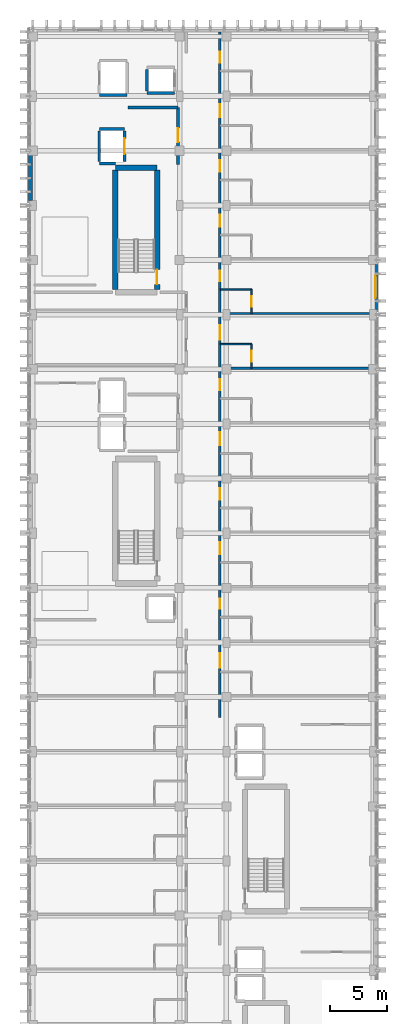
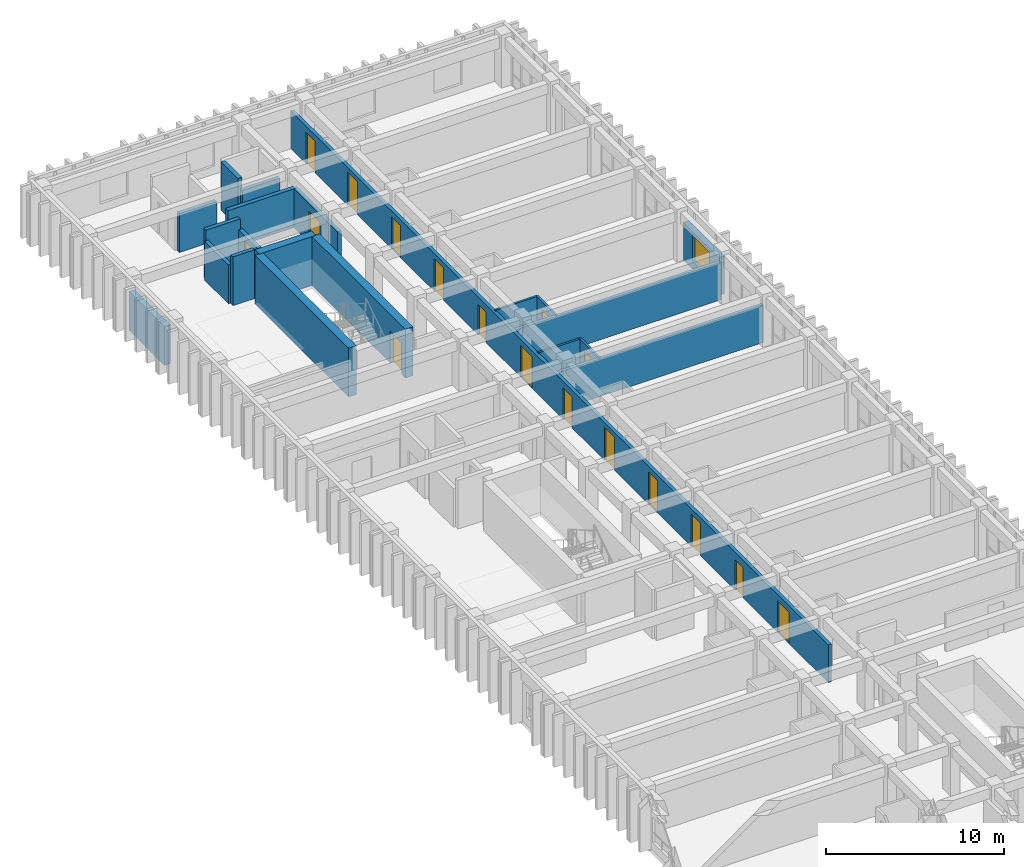
# One storey, part 67 of 82: 21 walls, 17 doors, 1 window, 18 openings.
"""IFC4 building model written with IfcOpenShell, lengths in metres."""

from ifc_helpers import new_model, si_unit, direction, frame, frame_2d, origin, place, context, subcontext, project, spatial, rectangle, extrude, material, layer, layer_set, type_object, element, fill, save


model = new_model("IFC4")

# Units and contexts
model_context = context("Model", 3, precision=1e-05, world=origin(), true_north=direction((0.0, 1.0)))
body_context = subcontext(model_context, "Body", "Model", "MODEL_VIEW")
ifc_project = project(units=[si_unit("LENGTHUNIT", "METRE"), si_unit("AREAUNIT", "SQUARE_METRE"), si_unit("VOLUMEUNIT", "CUBIC_METRE"), si_unit("PLANEANGLEUNIT", "RADIAN"), si_unit("MASSUNIT", "GRAM", prefix="KILO")], contexts=[model_context])

# Site, building, storey
site_placement = place(None, origin())
site = spatial("IfcSite", under=ifc_project, at=site_placement, CompositionType="ELEMENT")
building_placement = place(site_placement, origin())
building = spatial("IfcBuilding", under=site, at=building_placement, Name="Nakhvara Creek Congress Hotel", CompositionType="ELEMENT")
storey_placement = place(building_placement, frame((0.0, 0.0, 21.0)))
storey = spatial("IfcBuildingStorey", under=building, at=storey_placement, Name="L04", CompositionType="ELEMENT", Elevation=21.0)

# Walls
ifc_material_1 = material(Name="Concrete C50/60", Category="concrete")
ifc_layer_1 = layer(ifc_material_1, 0.5)
ifc_layer_set_1 = layer_set([ifc_layer_1], Name="Concrete C50/60")
wall_type_1 = type_object("IfcWallType", Name="W-CORE-500", PredefinedType="SHEAR", material=ifc_layer_set_1)
wall_1_placement = place(storey_placement, frame((156.699951171875, 113.719970703125, 0.0), z_axis=(0.0, 0.0, 1.0), x_axis=(1.0, 0.0, 0.0)))
element("IfcWall", 1, at=wall_1_placement, inside=storey, type_object=wall_type_1, Name="Core Shear Wall WS01-CWALL-L04-0377", PredefinedType="SHEAR", context=body_context, shape_type="SweptSolid", body=[
    extrude(rectangle(XDim=3.670166015625, YDim=0.5, at=frame_2d((1.8349609375, 0.0))), origin(), (0.0, 0.0, 1.0), 3.340087890625),
])
wall_2_placement = place(storey_placement, frame((156.699951171875, 103.0, 0.0), z_axis=(0.0, 0.0, 1.0), x_axis=(0.0, 1.0, 0.0)))
element("IfcWall", 2, at=wall_2_placement, inside=storey, type_object=wall_type_1, Name="Core Shear Wall WS01-CWALL-L04-0378", PredefinedType="SHEAR", context=body_context, shape_type="SweptSolid", body=[
    extrude(rectangle(XDim=10.5, YDim=0.5, at=frame_2d((5.25, 0.0))), origin(), (0.0, 0.0, 1.0), 3.340087890625),
])

# Wall, opening, door
wall_3_placement = place(storey_placement, frame((160.3701171875, 103.0, 0.0), z_axis=(0.0, 0.0, 1.0), x_axis=(0.0, 1.0, 0.0)))
wall_3 = element("IfcWall", 3, at=wall_3_placement, inside=storey, type_object=wall_type_1, Name="Core Shear Wall WS01-CWALL-L04-0379", PredefinedType="SHEAR", context=body_context, shape_type="SweptSolid", body=[
    extrude(rectangle(XDim=10.5, YDim=0.5, at=frame_2d((5.25, 0.0))), origin(), (0.0, 0.0, 1.0), 3.340087890625),
])
opening_1_placement = place(wall_3_placement, frame((0.449951171875, 0.0, 0.0)))
opening_1 = element("IfcOpeningElement", 4, at=opening_1_placement, cuts=wall_3, Name="Opening FD04", PredefinedType="OPENING", context=body_context, shape_type="SweptSolid", body=[
    extrude(rectangle(XDim=1.300048828125, YDim=2.14990234375, at=frame_2d((0.64990234375, 1.074951171875))), frame((0.0, 0.261962890625, 0.0), z_axis=(0.0, -1.0, 0.0), x_axis=(1.0, 0.0, 0.0)), (0.0, 0.0, 1.0), 0.52392578125),
])
ifc_material_2 = material(Name="Powder-coated steel fire door", Category="steel")
door_type_1 = type_object("IfcDoorType", Name="DT-STAIR-130", OperationType="NOTDEFINED", PredefinedType="DOOR", material=ifc_material_2)
door_1_placement = place(opening_1_placement, frame((1.300048828125, 0.0, 0.0), z_axis=(0.0, 0.0, 1.0), x_axis=(-1.0, 0.0, 0.0)))
door_1 = element("IfcDoor", 5, at=door_1_placement, inside=storey, type_object=door_type_1, Name="Stair Exit Door ST02-L04", OperationType="SINGLE_SWING_LEFT", OverallHeight=2.14990234375, OverallWidth=1.300048828125, PredefinedType="DOOR", context=body_context, shape_type="SweptSolid", body=[
    extrude(rectangle(XDim=1.300048828125, YDim=2.14990234375, at=frame_2d((0.64990234375, 1.074951171875))), frame((0.0, 0.02490234375, 0.0), z_axis=(0.0, -1.0, 0.0), x_axis=(1.0, 0.0, 0.0)), (0.0, 0.0, 1.0), 0.050048828125),
])
fill(opening_1, door_1)

# Wall, openings, doors
ifc_material_3 = material(Name="Gypsum acoustic board on steel stud", Category="steel")
ifc_layer_2 = layer(ifc_material_3, 0.219970703125)
ifc_layer_set_2 = layer_set([ifc_layer_2], Name="Gypsum acoustic board on steel stud")
wall_type_2 = type_object("IfcWallType", Name="W-CORR-220", PredefinedType="PARTITIONING", material=ifc_layer_set_2)
wall_4_placement = place(storey_placement, frame((165.8798828125, 65.39990234375, 0.0), z_axis=(0.0, 0.0, 1.0), x_axis=(0.0, 1.0, 0.0)))
wall_4 = element("IfcWall", 6, at=wall_4_placement, inside=storey, type_object=wall_type_2, Name="Interior Wall WP11-IW-L04-0290", PredefinedType="PARTITIONING", context=body_context, shape_type="SweptSolid", body=[
    extrude(rectangle(XDim=60.25, YDim=0.219970703125, at=frame_2d((30.125, 0.0))), origin(), (0.0, 0.0, 1.0), 2.58203125),
])
opening_2_placement = place(wall_4_placement, frame((4.387939453125, 0.0, 0.0)))
opening_2 = element("IfcOpeningElement", 7, at=opening_2_placement, cuts=wall_4, Name="Opening ID07", PredefinedType="OPENING", context=body_context, shape_type="SweptSolid", body=[
    extrude(rectangle(XDim=1.280029296875, YDim=2.159912109375, at=frame_2d((0.64013671875, 1.080078125))), frame((0.0, 0.1220703125, 0.0), z_axis=(0.0, -1.0, 0.0), x_axis=(1.0, 0.0, 0.0)), (0.0, 0.0, 1.0), 0.243896484375),
])
opening_3_placement = place(wall_4_placement, frame((9.5380859375, 0.0, 0.0)))
opening_3 = element("IfcOpeningElement", 8, at=opening_3_placement, cuts=wall_4, Name="Opening ID03", PredefinedType="OPENING", context=body_context, shape_type="SweptSolid", body=[
    extrude(rectangle(XDim=0.89990234375, YDim=2.080078125, at=frame_2d((0.449951171875, 1.0400390625))), frame((0.0, 0.1220703125, 0.0), z_axis=(0.0, -1.0, 0.0), x_axis=(1.0, 0.0, 0.0)), (0.0, 0.0, 1.0), 0.243896484375),
])
opening_4_placement = place(wall_4_placement, frame((14.337890625, 0.0, 0.0)))
opening_4 = element("IfcOpeningElement", 9, at=opening_4_placement, cuts=wall_4, Name="Opening GD04", PredefinedType="OPENING", context=body_context, shape_type="SweptSolid", body=[
    extrude(rectangle(XDim=1.050048828125, YDim=2.219970703125, at=frame_2d((0.52490234375, 1.10986328125))), frame((0.0, 0.1220703125, 0.0), z_axis=(0.0, -1.0, 0.0), x_axis=(1.0, 0.0, 0.0)), (0.0, 0.0, 1.0), 0.243896484375),
])
opening_5_placement = place(wall_4_placement, frame((19.137939453125, 0.0, 0.0)))
opening_5 = element("IfcOpeningElement", 10, at=opening_5_placement, cuts=wall_4, Name="Opening GD01", PredefinedType="OPENING", context=body_context, shape_type="SweptSolid", body=[
    extrude(rectangle(XDim=1.02001953125, YDim=2.199951171875, at=frame_2d((0.510009765625, 1.10009765625))), frame((0.0, 0.1220703125, 0.0), z_axis=(0.0, -1.0, 0.0), x_axis=(1.0, 0.0, 0.0)), (0.0, 0.0, 1.0), 0.243896484375),
])
opening_6_placement = place(wall_4_placement, frame((23.93798828125, 0.0, 0.0)))
opening_6 = element("IfcOpeningElement", 11, at=opening_6_placement, cuts=wall_4, Name="Opening GD05", PredefinedType="OPENING", context=body_context, shape_type="SweptSolid", body=[
    extrude(rectangle(XDim=1.139892578125, YDim=2.260009765625, at=frame_2d((0.56982421875, 1.1298828125))), frame((0.0, 0.1220703125, 0.0), z_axis=(0.0, -1.0, 0.0), x_axis=(1.0, 0.0, 0.0)), (0.0, 0.0, 1.0), 0.243896484375),
])
opening_7_placement = place(wall_4_placement, frame((28.738037109375, 0.0, 0.0)))
opening_7 = element("IfcOpeningElement", 12, at=opening_7_placement, cuts=wall_4, Name="Opening MD03", PredefinedType="OPENING", context=body_context, shape_type="SweptSolid", body=[
    extrude(rectangle(XDim=0.97998046875, YDim=2.14990234375, at=frame_2d((0.489990234375, 1.074951171875))), frame((0.0, 0.1220703125, 0.0), z_axis=(0.0, -1.0, 0.0), x_axis=(1.0, 0.0, 0.0)), (0.0, 0.0, 1.0), 0.243896484375),
])
opening_8_placement = place(wall_4_placement, frame((33.18798828125, 0.0, 0.0)))
opening_8 = element("IfcOpeningElement", 13, at=opening_8_placement, cuts=wall_4, Name="Opening ID07", PredefinedType="OPENING", context=body_context, shape_type="SweptSolid", body=[
    extrude(rectangle(XDim=1.280029296875, YDim=2.159912109375, at=frame_2d((0.64013671875, 1.080078125))), frame((0.0, 0.1220703125, 0.0), z_axis=(0.0, -1.0, 0.0), x_axis=(1.0, 0.0, 0.0)), (0.0, 0.0, 1.0), 0.243896484375),
])
opening_9_placement = place(wall_4_placement, frame((38.337890625, 0.0, 0.0)))
opening_9 = element("IfcOpeningElement", 14, at=opening_9_placement, cuts=wall_4, Name="Opening ID03", PredefinedType="OPENING", context=body_context, shape_type="SweptSolid", body=[
    extrude(rectangle(XDim=0.89990234375, YDim=2.080078125, at=frame_2d((0.449951171875, 1.0400390625))), frame((0.0, 0.1220703125, 0.0), z_axis=(0.0, -1.0, 0.0), x_axis=(1.0, 0.0, 0.0)), (0.0, 0.0, 1.0), 0.243896484375),
])
opening_10_placement = place(wall_4_placement, frame((43.137939453125, 0.0, 0.0)))
opening_10 = element("IfcOpeningElement", 15, at=opening_10_placement, cuts=wall_4, Name="Opening GD04", PredefinedType="OPENING", context=body_context, shape_type="SweptSolid", body=[
    extrude(rectangle(XDim=1.050048828125, YDim=2.219970703125, at=frame_2d((0.52490234375, 1.10986328125))), frame((0.0, 0.1220703125, 0.0), z_axis=(0.0, -1.0, 0.0), x_axis=(1.0, 0.0, 0.0)), (0.0, 0.0, 1.0), 0.243896484375),
])
opening_11_placement = place(wall_4_placement, frame((47.93798828125, 0.0, 0.0)))
opening_11 = element("IfcOpeningElement", 16, at=opening_11_placement, cuts=wall_4, Name="Opening GD01", PredefinedType="OPENING", context=body_context, shape_type="SweptSolid", body=[
    extrude(rectangle(XDim=1.02001953125, YDim=2.199951171875, at=frame_2d((0.510009765625, 1.10009765625))), frame((0.0, 0.1220703125, 0.0), z_axis=(0.0, -1.0, 0.0), x_axis=(1.0, 0.0, 0.0)), (0.0, 0.0, 1.0), 0.243896484375),
])
opening_12_placement = place(wall_4_placement, frame((52.738037109375, 0.0, 0.0)))
opening_12 = element("IfcOpeningElement", 17, at=opening_12_placement, cuts=wall_4, Name="Opening GD05", PredefinedType="OPENING", context=body_context, shape_type="SweptSolid", body=[
    extrude(rectangle(XDim=1.139892578125, YDim=2.260009765625, at=frame_2d((0.56982421875, 1.1298828125))), frame((0.0, 0.1220703125, 0.0), z_axis=(0.0, -1.0, 0.0), x_axis=(1.0, 0.0, 0.0)), (0.0, 0.0, 1.0), 0.243896484375),
])
opening_13_placement = place(wall_4_placement, frame((57.5380859375, 0.0, 0.0)))
opening_13 = element("IfcOpeningElement", 18, at=opening_13_placement, cuts=wall_4, Name="Opening MD03", PredefinedType="OPENING", context=body_context, shape_type="SweptSolid", body=[
    extrude(rectangle(XDim=0.97998046875, YDim=2.14990234375, at=frame_2d((0.489990234375, 1.074951171875))), frame((0.0, 0.1220703125, 0.0), z_axis=(0.0, -1.0, 0.0), x_axis=(1.0, 0.0, 0.0)), (0.0, 0.0, 1.0), 0.243896484375),
])
ifc_material_4 = material(Name="Brushed stainless-clad BOH door")
door_type_2 = type_object("IfcDoorType", Name="DT-BOH-128", OperationType="NOTDEFINED", PredefinedType="DOOR", material=ifc_material_4)
door_2_placement = place(opening_2_placement, origin())
door_2 = element("IfcDoor", 19, at=door_2_placement, inside=storey, type_object=door_type_2, Name="Interior Door ID07-0278", OperationType="SINGLE_SWING_LEFT", OverallHeight=2.159912109375, OverallWidth=1.280029296875, PredefinedType="DOOR", context=body_context, shape_type="SweptSolid", body=[
    extrude(rectangle(XDim=1.280029296875, YDim=2.159912109375, at=frame_2d((0.64013671875, 1.080078125))), frame((0.0, 0.02490234375, 0.0), z_axis=(0.0, -1.0, 0.0), x_axis=(1.0, 0.0, 0.0)), (0.0, 0.0, 1.0), 0.050048828125),
])
fill(opening_2, door_2)
door_3_placement = place(opening_8_placement, origin())
door_3 = element("IfcDoor", 20, at=door_3_placement, inside=storey, type_object=door_type_2, Name="Interior Door ID07-0290", OperationType="SINGLE_SWING_LEFT", OverallHeight=2.159912109375, OverallWidth=1.280029296875, PredefinedType="DOOR", context=body_context, shape_type="SweptSolid", body=[
    extrude(rectangle(XDim=1.280029296875, YDim=2.159912109375, at=frame_2d((0.64013671875, 1.080078125))), frame((0.0, 0.02490234375, 0.0), z_axis=(0.0, -1.0, 0.0), x_axis=(1.0, 0.0, 0.0)), (0.0, 0.0, 1.0), 0.050048828125),
])
fill(opening_8, door_3)
ifc_material_5 = material(Name="Walnut hardwood timber fire door", Category="wood")
door_type_3 = type_object("IfcDoorType", Name="DT-GUEST-102", OperationType="NOTDEFINED", PredefinedType="DOOR", material=ifc_material_5)
door_4_placement = place(opening_5_placement, origin())
door_4 = element("IfcDoor", 21, at=door_4_placement, inside=storey, type_object=door_type_3, Name="Interior Door GD01-0284", OperationType="SINGLE_SWING_LEFT", OverallHeight=2.199951171875, OverallWidth=1.02001953125, PredefinedType="DOOR", context=body_context, shape_type="SweptSolid", body=[
    extrude(rectangle(XDim=1.02001953125, YDim=2.199951171875, at=frame_2d((0.510009765625, 1.10009765625))), frame((0.0, 0.02490234375, 0.0), z_axis=(0.0, -1.0, 0.0), x_axis=(1.0, 0.0, 0.0)), (0.0, 0.0, 1.0), 0.050048828125),
])
fill(opening_5, door_4)
door_5_placement = place(opening_11_placement, origin())
door_5 = element("IfcDoor", 22, at=door_5_placement, inside=storey, type_object=door_type_3, Name="Interior Door GD01-0296", OperationType="SINGLE_SWING_LEFT", OverallHeight=2.199951171875, OverallWidth=1.02001953125, PredefinedType="DOOR", context=body_context, shape_type="SweptSolid", body=[
    extrude(rectangle(XDim=1.02001953125, YDim=2.199951171875, at=frame_2d((0.510009765625, 1.10009765625))), frame((0.0, 0.02490234375, 0.0), z_axis=(0.0, -1.0, 0.0), x_axis=(1.0, 0.0, 0.0)), (0.0, 0.0, 1.0), 0.050048828125),
])
fill(opening_11, door_5)
door_type_4 = type_object("IfcDoorType", Name="DT-GUEST-105", OperationType="NOTDEFINED", PredefinedType="DOOR", material=ifc_material_5)
door_6_placement = place(opening_4_placement, origin())
door_6 = element("IfcDoor", 23, at=door_6_placement, inside=storey, type_object=door_type_4, Name="Interior Door GD04-0282", OperationType="SINGLE_SWING_LEFT", OverallHeight=2.219970703125, OverallWidth=1.050048828125, PredefinedType="DOOR", context=body_context, shape_type="SweptSolid", body=[
    extrude(rectangle(XDim=1.050048828125, YDim=2.219970703125, at=frame_2d((0.52490234375, 1.10986328125))), frame((0.0, 0.02490234375, 0.0), z_axis=(0.0, -1.0, 0.0), x_axis=(1.0, 0.0, 0.0)), (0.0, 0.0, 1.0), 0.050048828125),
])
fill(opening_4, door_6)
door_7_placement = place(opening_10_placement, origin())
door_7 = element("IfcDoor", 24, at=door_7_placement, inside=storey, type_object=door_type_4, Name="Interior Door GD04-0294", OperationType="SINGLE_SWING_LEFT", OverallHeight=2.219970703125, OverallWidth=1.050048828125, PredefinedType="DOOR", context=body_context, shape_type="SweptSolid", body=[
    extrude(rectangle(XDim=1.050048828125, YDim=2.219970703125, at=frame_2d((0.52490234375, 1.10986328125))), frame((0.0, 0.02490234375, 0.0), z_axis=(0.0, -1.0, 0.0), x_axis=(1.0, 0.0, 0.0)), (0.0, 0.0, 1.0), 0.050048828125),
])
fill(opening_10, door_7)
door_type_5 = type_object("IfcDoorType", Name="DT-GUEST-114", OperationType="NOTDEFINED", PredefinedType="DOOR", material=ifc_material_5)
door_8_placement = place(opening_6_placement, origin())
door_8 = element("IfcDoor", 25, at=door_8_placement, inside=storey, type_object=door_type_5, Name="Interior Door GD05-0286", OperationType="SINGLE_SWING_LEFT", OverallHeight=2.260009765625, OverallWidth=1.139892578125, PredefinedType="DOOR", context=body_context, shape_type="SweptSolid", body=[
    extrude(rectangle(XDim=1.139892578125, YDim=2.260009765625, at=frame_2d((0.56982421875, 1.1298828125))), frame((0.0, 0.02490234375, 0.0), z_axis=(0.0, -1.0, 0.0), x_axis=(1.0, 0.0, 0.0)), (0.0, 0.0, 1.0), 0.050048828125),
])
fill(opening_6, door_8)
door_9_placement = place(opening_12_placement, origin())
door_9 = element("IfcDoor", 26, at=door_9_placement, inside=storey, type_object=door_type_5, Name="Interior Door GD05-0298", OperationType="SINGLE_SWING_LEFT", OverallHeight=2.260009765625, OverallWidth=1.139892578125, PredefinedType="DOOR", context=body_context, shape_type="SweptSolid", body=[
    extrude(rectangle(XDim=1.139892578125, YDim=2.260009765625, at=frame_2d((0.56982421875, 1.1298828125))), frame((0.0, 0.02490234375, 0.0), z_axis=(0.0, -1.0, 0.0), x_axis=(1.0, 0.0, 0.0)), (0.0, 0.0, 1.0), 0.050048828125),
])
fill(opening_12, door_9)
ifc_material_6 = material(Name="Acoustic ISO 2603 sound-lock timber door", Category="wood")
door_type_6 = type_object("IfcDoorType", Name="DT-ISO-098", OperationType="NOTDEFINED", PredefinedType="DOOR", material=ifc_material_6)
door_10_placement = place(opening_7_placement, origin())
door_10 = element("IfcDoor", 27, at=door_10_placement, inside=storey, type_object=door_type_6, Name="Interior Door MD03-0288", OperationType="SINGLE_SWING_LEFT", OverallHeight=2.14990234375, OverallWidth=0.97998046875, PredefinedType="DOOR", context=body_context, shape_type="SweptSolid", body=[
    extrude(rectangle(XDim=0.97998046875, YDim=2.14990234375, at=frame_2d((0.489990234375, 1.074951171875))), frame((0.0, 0.02490234375, 0.0), z_axis=(0.0, -1.0, 0.0), x_axis=(1.0, 0.0, 0.0)), (0.0, 0.0, 1.0), 0.050048828125),
])
fill(opening_7, door_10)
door_11_placement = place(opening_13_placement, origin())
door_11 = element("IfcDoor", 28, at=door_11_placement, inside=storey, type_object=door_type_6, Name="Interior Door MD03-0300", OperationType="SINGLE_SWING_LEFT", OverallHeight=2.14990234375, OverallWidth=0.97998046875, PredefinedType="DOOR", context=body_context, shape_type="SweptSolid", body=[
    extrude(rectangle(XDim=0.97998046875, YDim=2.14990234375, at=frame_2d((0.489990234375, 1.074951171875))), frame((0.0, 0.02490234375, 0.0), z_axis=(0.0, -1.0, 0.0), x_axis=(1.0, 0.0, 0.0)), (0.0, 0.0, 1.0), 0.050048828125),
])
fill(opening_13, door_11)
ifc_material_7 = material(Name="Moisture-resistant laminate timber door", Category="wood")
door_type_7 = type_object("IfcDoorType", Name="DT-WC-090", OperationType="NOTDEFINED", PredefinedType="DOOR", material=ifc_material_7)
door_12_placement = place(opening_3_placement, origin())
door_12 = element("IfcDoor", 29, at=door_12_placement, inside=storey, type_object=door_type_7, Name="Interior Door ID03-0280", OperationType="SINGLE_SWING_LEFT", OverallHeight=2.080078125, OverallWidth=0.89990234375, PredefinedType="DOOR", context=body_context, shape_type="SweptSolid", body=[
    extrude(rectangle(XDim=0.89990234375, YDim=2.080078125, at=frame_2d((0.449951171875, 1.0400390625))), frame((0.0, 0.02490234375, 0.0), z_axis=(0.0, -1.0, 0.0), x_axis=(1.0, 0.0, 0.0)), (0.0, 0.0, 1.0), 0.050048828125),
])
fill(opening_3, door_12)
door_13_placement = place(opening_9_placement, origin())
door_13 = element("IfcDoor", 30, at=door_13_placement, inside=storey, type_object=door_type_7, Name="Interior Door ID03-0292", OperationType="SINGLE_SWING_LEFT", OverallHeight=2.080078125, OverallWidth=0.89990234375, PredefinedType="DOOR", context=body_context, shape_type="SweptSolid", body=[
    extrude(rectangle(XDim=0.89990234375, YDim=2.080078125, at=frame_2d((0.449951171875, 1.0400390625))), frame((0.0, 0.02490234375, 0.0), z_axis=(0.0, -1.0, 0.0), x_axis=(1.0, 0.0, 0.0)), (0.0, 0.0, 1.0), 0.050048828125),
])
fill(opening_9, door_13)

# Wall, opening, door
ifc_material_8 = material(Name="Moisture-resistant gypsum board partition")
ifc_layer_3 = layer(ifc_material_8, 0.139892578125)
ifc_layer_set_3 = layer_set([ifc_layer_3], Name="Moisture-resistant gypsum board partition")
wall_type_3 = type_object("IfcWallType", Name="W-ENS-140", PredefinedType="PARTITIONING", material=ifc_layer_set_3)
wall_5_placement = place(storey_placement, frame((168.669921875, 96.10009765625, 0.0), z_axis=(0.0, 0.0, 1.0), x_axis=(0.0, 1.0, 0.0)))
wall_5 = element("IfcWall", 31, at=wall_5_placement, inside=storey, type_object=wall_type_3, Name="Interior Wall WP15-IW-L04-0350", PredefinedType="PARTITIONING", context=body_context, shape_type="SweptSolid", body=[
    extrude(rectangle(XDim=2.115966796875, YDim=0.139892578125, at=frame_2d((1.05810546875, 0.0))), origin(), (0.0, 0.0, 1.0), 2.652099609375),
])
opening_14_placement = place(wall_5_placement, frame((0.5830078125, 0.0, 0.0)))
opening_14 = element("IfcOpeningElement", 32, at=opening_14_placement, cuts=wall_5, Name="Opening ID02", PredefinedType="OPENING", context=body_context, shape_type="SweptSolid", body=[
    extrude(rectangle(XDim=0.9599609375, YDim=2.1201171875, at=frame_2d((0.47998046875, 1.06005859375))), frame((0.0, 0.08203125, 0.0), z_axis=(0.0, -1.0, 0.0), x_axis=(1.0, 0.0, 0.0)), (0.0, 0.0, 1.0), 0.163818359375),
])
ifc_material_9 = material(Name="Moisture-resistant walnut timber door", Category="wood")
door_type_8 = type_object("IfcDoorType", Name="DT-ENS-096", OperationType="NOTDEFINED", PredefinedType="DOOR", material=ifc_material_9)
door_14_placement = place(opening_14_placement, frame((0.9599609375, 0.0, 0.0), z_axis=(0.0, 0.0, 1.0), x_axis=(-1.0, 0.0, 0.0)))
door_14 = element("IfcDoor", 33, at=door_14_placement, inside=storey, type_object=door_type_8, Name="Interior Door ID02-0291", OperationType="SINGLE_SWING_RIGHT", OverallHeight=2.1201171875, OverallWidth=0.9599609375, PredefinedType="DOOR", context=body_context, shape_type="SweptSolid", body=[
    extrude(rectangle(XDim=0.9599609375, YDim=2.1201171875, at=frame_2d((0.47998046875, 1.06005859375))), frame((0.0, 0.02490234375, 0.0), z_axis=(0.0, -1.0, 0.0), x_axis=(1.0, 0.0, 0.0)), (0.0, 0.0, 1.0), 0.050048828125),
])
fill(opening_14, door_14)

# Wall
wall_6_placement = place(storey_placement, frame((165.919921875, 98.216064453125, 0.0), z_axis=(0.0, 0.0, 1.0), x_axis=(1.0, 0.0, 0.0)))
element("IfcWall", 34, at=wall_6_placement, inside=storey, type_object=wall_type_3, Name="Interior Wall WP15-IW-L04-0351", PredefinedType="PARTITIONING", context=body_context, shape_type="SweptSolid", body=[
    extrude(rectangle(XDim=2.75, YDim=0.139892578125, at=frame_2d((1.375, 0.0))), origin(), (0.0, 0.0, 1.0), 2.652099609375),
])

# Wall, opening, door
wall_7_placement = place(storey_placement, frame((168.669921875, 100.89990234375, 0.0), z_axis=(0.0, 0.0, 1.0), x_axis=(0.0, 1.0, 0.0)))
wall_7 = element("IfcWall", 35, at=wall_7_placement, inside=storey, type_object=wall_type_3, Name="Interior Wall WP15-IW-L04-0353", PredefinedType="PARTITIONING", context=body_context, shape_type="SweptSolid", body=[
    extrude(rectangle(XDim=2.1162109375, YDim=0.139892578125, at=frame_2d((1.05810546875, 0.0))), origin(), (0.0, 0.0, 1.0), 2.652099609375),
])
opening_15_placement = place(wall_7_placement, frame((0.5830078125, 0.0, 0.0)))
opening_15 = element("IfcOpeningElement", 36, at=opening_15_placement, cuts=wall_7, Name="Opening ID01", PredefinedType="OPENING", context=body_context, shape_type="SweptSolid", body=[
    extrude(rectangle(XDim=0.919921875, YDim=2.10009765625, at=frame_2d((0.4599609375, 1.050048828125))), frame((0.0, 0.08203125, 0.0), z_axis=(0.0, -1.0, 0.0), x_axis=(1.0, 0.0, 0.0)), (0.0, 0.0, 1.0), 0.163818359375),
])
door_type_9 = type_object("IfcDoorType", Name="DT-ENS-092", OperationType="NOTDEFINED", PredefinedType="DOOR", material=ifc_material_9)
door_15_placement = place(opening_15_placement, frame((0.919921875, 0.0, 0.0), z_axis=(0.0, 0.0, 1.0), x_axis=(-1.0, 0.0, 0.0)))
door_15 = element("IfcDoor", 37, at=door_15_placement, inside=storey, type_object=door_type_9, Name="Interior Door ID01-0293", OperationType="SINGLE_SWING_RIGHT", OverallHeight=2.10009765625, OverallWidth=0.919921875, PredefinedType="DOOR", context=body_context, shape_type="SweptSolid", body=[
    extrude(rectangle(XDim=0.919921875, YDim=2.10009765625, at=frame_2d((0.4599609375, 1.050048828125))), frame((0.0, 0.02490234375, 0.0), z_axis=(0.0, -1.0, 0.0), x_axis=(1.0, 0.0, 0.0)), (0.0, 0.0, 1.0), 0.050048828125),
])
fill(opening_15, door_15)

# Wall
wall_8_placement = place(storey_placement, frame((165.919921875, 103.01611328125, 0.0), z_axis=(0.0, 0.0, 1.0), x_axis=(1.0, 0.0, 0.0)))
element("IfcWall", 38, at=wall_8_placement, inside=storey, type_object=wall_type_3, Name="Interior Wall WP15-IW-L04-0354", PredefinedType="PARTITIONING", context=body_context, shape_type="SweptSolid", body=[
    extrude(rectangle(XDim=2.75, YDim=0.139892578125, at=frame_2d((1.375, 0.0))), origin(), (0.0, 0.0, 1.0), 2.652099609375),
])

# Wall, opening, window
ifc_material_10 = material(Name="Honed pale Omani limestone cladding", Category="masonry")
ifc_layer_4 = layer(ifc_material_10, 0.050048828125)
ifc_material_11 = material(Name="Mineral wool thermal insulation")
ifc_layer_5 = layer(ifc_material_11, 0.110107421875)
ifc_material_12 = material(Name="Precast concrete C40/50", Category="concrete")
ifc_layer_6 = layer(ifc_material_12, 0.219970703125)
ifc_layer_set_4 = layer_set([ifc_layer_4, ifc_layer_5, ifc_layer_6], Name="Precast concrete C40/50")
wall_type_4 = type_object("IfcWallType", Name="W-EXT-380", PredefinedType="SOLIDWALL", material=ifc_layer_set_4)
wall_9_placement = place(storey_placement, frame((179.56005859375, 105.22509765625, 0.0), z_axis=(0.0, 0.0, 1.0), x_axis=(0.0, -1.0, 0.0)))
wall_9 = element("IfcWall", 39, at=wall_9_placement, inside=storey, type_object=wall_type_4, Name="Exterior Wall WE03-EW-L04-0144", PredefinedType="SOLIDWALL", context=body_context, shape_type="SweptSolid", body=[
    extrude(rectangle(XDim=4.0, YDim=0.3798828125, at=frame_2d((2.0, 0.0))), origin(), (0.0, 0.0, 1.0), 2.58203125),
])
opening_16_placement = place(wall_9_placement, frame((1.02490234375, 0.0, 0.550048828125)))
opening_16 = element("IfcOpeningElement", 40, at=opening_16_placement, cuts=wall_9, Name="Opening WN0153", PredefinedType="OPENING", context=body_context, shape_type="SweptSolid", body=[
    extrude(rectangle(XDim=1.949951171875, YDim=1.77001953125, at=frame_2d((0.97509765625, 0.885009765625))), frame((0.0, 0.201904296875, 0.0), z_axis=(0.0, -1.0, 0.0), x_axis=(1.0, 0.0, 0.0)), (0.0, 0.0, 1.0), 0.40380859375),
])
ifc_material_13 = material(Name="Thermally broken bronze-anodised aluminium and double-silver low-E insulated glass", Category="aluminium")
window_type = type_object("IfcWindowType", Name="WN-LAN-195X230", PartitioningType="SINGLE_PANEL", PredefinedType="WINDOW", material=ifc_material_13)
window_placement = place(opening_16_placement, origin())
window = element("IfcWindow", 41, at=window_placement, inside=storey, type_object=window_type, Name="Facade Window WN0153", OverallHeight=1.77001953125, OverallWidth=1.949951171875, PartitioningType="SINGLE_PANEL", PredefinedType="WINDOW", context=body_context, shape_type="SweptSolid", body=[
    extrude(rectangle(XDim=1.949951171875, YDim=1.77001953125, at=frame_2d((0.97509765625, 0.885009765625))), frame((0.0, 0.030029296875, 0.0), z_axis=(0.0, -1.0, 0.0), x_axis=(1.0, 0.0, 0.0)), (0.0, 0.0, 1.0), 0.06005859375),
])
fill(opening_16, window)

# Wall
wall_10_placement = place(storey_placement, frame((149.239990234375, 110.824951171875, 0.0), z_axis=(0.0, 0.0, 1.0), x_axis=(0.0, 1.0, 0.0)))
element("IfcWall", 42, at=wall_10_placement, inside=storey, type_object=wall_type_4, Name="Exterior Wall WE03-EW-L04-0145", PredefinedType="SOLIDWALL", context=body_context, shape_type="SweptSolid", body=[
    extrude(rectangle(XDim=4.0, YDim=0.3798828125, at=frame_2d((2.0, 0.0))), origin(), (0.0, 0.0, 1.0), 2.652099609375),
])

# Wall, opening, door
ifc_material_14 = material(Name="Concrete C40/50", Category="concrete")
ifc_layer_7 = layer(ifc_material_14, 0.260009765625)
ifc_layer_set_5 = layer_set([ifc_layer_7], Name="Concrete C40/50")
wall_type_5 = type_object("IfcWallType", Name="W-FFL-260", PredefinedType="SOLIDWALL", material=ifc_layer_set_5)
wall_11_placement = place(storey_placement, frame((162.199951171875, 114.0, 0.0), z_axis=(0.0, 0.0, 1.0), x_axis=(0.0, 1.0, 0.0)))
wall_11 = element("IfcWall", 43, at=wall_11_placement, inside=storey, type_object=wall_type_5, Name="Core Shear Wall WI03-CWALL-L04-0392", PredefinedType="SOLIDWALL", context=body_context, shape_type="SweptSolid", body=[
    extrude(rectangle(XDim=5.0, YDim=0.260009765625, at=frame_2d((2.5, 0.0))), origin(), (0.0, 0.0, 1.0), 2.652099609375),
])
opening_17_placement = place(wall_11_placement, frame((1.949951171875, 0.0, 0.0)))
opening_17 = element("IfcOpeningElement", 44, at=opening_17_placement, cuts=wall_11, Name="Opening FD05", PredefinedType="OPENING", context=body_context, shape_type="SweptSolid", body=[
    extrude(rectangle(XDim=1.25, YDim=2.14990234375, at=frame_2d((0.625, 1.074951171875))), frame((0.0, 0.14208984375, 0.0), z_axis=(0.0, -1.0, 0.0), x_axis=(1.0, 0.0, 0.0)), (0.0, 0.0, 1.0), 0.283935546875),
])
ifc_material_15 = material(Name="Hardwood-veneered steel fire door", Category="steel")
door_type_10 = type_object("IfcDoorType", Name="DT-FFL-125", OperationType="NOTDEFINED", PredefinedType="DOOR", material=ifc_material_15)
door_16_placement = place(opening_17_placement, origin())
door_16 = element("IfcDoor", 45, at=door_16_placement, inside=storey, type_object=door_type_10, Name="Firefighting Lobby Door C2-L04", OperationType="DOUBLE_DOOR_SINGLE_SWING", OverallHeight=2.14990234375, OverallWidth=1.25, PredefinedType="DOOR", context=body_context, shape_type="SweptSolid", body=[
    extrude(rectangle(XDim=1.25, YDim=2.14990234375, at=frame_2d((0.625, 1.074951171875))), frame((0.0, 0.02490234375, 0.0), z_axis=(0.0, -1.0, 0.0), x_axis=(1.0, 0.0, 0.0)), (0.0, 0.0, 1.0), 0.050048828125),
])
fill(opening_17, door_16)

# Walls
wall_12_placement = place(storey_placement, frame((157.800048828125, 119.0, 0.0), z_axis=(0.0, 0.0, 1.0), x_axis=(1.0, 0.0, 0.0)))
element("IfcWall", 46, at=wall_12_placement, inside=storey, type_object=wall_type_5, Name="Core Shear Wall WI03-CWALL-L04-0393", PredefinedType="SOLIDWALL", context=body_context, shape_type="SweptSolid", body=[
    extrude(rectangle(XDim=4.39990234375, YDim=0.260009765625, at=frame_2d((2.199951171875, 0.0))), origin(), (0.0, 0.0, 1.0), 2.652099609375),
])
ifc_layer_8 = layer(ifc_material_3, 0.199951171875)
ifc_layer_set_6 = layer_set([ifc_layer_8], Name="Gypsum acoustic board on steel stud")
wall_type_6 = type_object("IfcWallType", Name="W-PART-200", PredefinedType="PARTITIONING", material=ifc_layer_set_6)
for number, where, z_axis, x_axis, name in (
    (47, (166.02001953125, 96.10009765625, 0.0), (0.0, 0.0, 1.0), (1.0, 0.0, 0.0), "Interior Wall WP12-IW-L04-0349"),
    (48, (166.02001953125, 100.89990234375, 0.0), (0.0, 0.0, 1.0), (1.0, 0.0, 0.0), "Interior Wall WP12-IW-L04-0352"),
):
    element("IfcWall", number, at=place(storey_placement, frame(where, z_axis=z_axis, x_axis=x_axis)), inside=storey, type_object=wall_type_6, Name=name, PredefinedType="PARTITIONING", context=body_context, shape_type="SweptSolid", body=[
        extrude(rectangle(XDim=13.22998046875, YDim=0.199951171875, at=frame_2d((6.614990234375, 0.0))), origin(), (0.0, 0.0, 1.0), 2.58203125),
    ])
ifc_layer_9 = layer(ifc_material_14, 0.25)
ifc_layer_set_7 = layer_set([ifc_layer_9], Name="Concrete C40/50")
wall_type_7 = type_object("IfcWallType", Name="W-SHAFT-250", PredefinedType="SOLIDWALL", material=ifc_layer_set_7)
wall_13_placement = place(storey_placement, frame((155.2900390625, 114.090087890625, 0.0), z_axis=(0.0, 0.0, 1.0), x_axis=(1.0, 0.0, 0.0)))
element("IfcWall", 49, at=wall_13_placement, inside=storey, type_object=wall_type_7, Name="Core Shear Wall WI02-CWALL-L04-0380", PredefinedType="SOLIDWALL", context=body_context, shape_type="SweptSolid", body=[
    extrude(rectangle(XDim=1.39990234375, YDim=0.25, at=frame_2d((0.699951171875, 0.0))), origin(), (0.0, 0.0, 1.0), 3.340087890625),
])
wall_14_placement = place(storey_placement, frame((155.2900390625, 117.110107421875, 0.0), z_axis=(0.0, 0.0, 1.0), x_axis=(1.0, 0.0, 0.0)))
element("IfcWall", 50, at=wall_14_placement, inside=storey, type_object=wall_type_7, Name="Core Shear Wall WI02-CWALL-L04-0381", PredefinedType="SOLIDWALL", context=body_context, shape_type="SweptSolid", body=[
    extrude(rectangle(XDim=2.219970703125, YDim=0.25, at=frame_2d((1.10986328125, 0.0))), origin(), (0.0, 0.0, 1.0), 3.340087890625),
])
wall_15_placement = place(storey_placement, frame((155.2900390625, 114.25, 0.0), z_axis=(0.0, 0.0, 1.0), x_axis=(0.0, 1.0, 0.0)))
element("IfcWall", 51, at=wall_15_placement, inside=storey, type_object=wall_type_7, Name="Core Shear Wall WI02-CWALL-L04-0382", PredefinedType="SOLIDWALL", context=body_context, shape_type="SweptSolid", body=[
    extrude(rectangle(XDim=2.699951171875, YDim=0.25, at=frame_2d((1.35009765625, 0.0))), origin(), (0.0, 0.0, 1.0), 2.652099609375),
])

# Wall, opening, door
wall_16_placement = place(storey_placement, frame((157.510009765625, 114.25, 0.0), z_axis=(0.0, 0.0, 1.0), x_axis=(0.0, 1.0, 0.0)))
wall_16 = element("IfcWall", 52, at=wall_16_placement, inside=storey, type_object=wall_type_7, Name="Core Shear Wall WI02-CWALL-L04-0383", PredefinedType="SOLIDWALL", context=body_context, shape_type="SweptSolid", body=[
    extrude(rectangle(XDim=2.699951171875, YDim=0.25, at=frame_2d((1.35009765625, 0.0))), origin(), (0.0, 0.0, 1.0), 2.652099609375),
])
opening_18_placement = place(wall_16_placement, frame((0.64990234375, 0.0, 0.0)))
opening_18 = element("IfcOpeningElement", 53, at=opening_18_placement, cuts=wall_16, Name="Opening LD02", PredefinedType="OPENING", context=body_context, shape_type="SweptSolid", body=[
    extrude(rectangle(XDim=1.39990234375, YDim=2.300048828125, at=frame_2d((0.699951171875, 1.14990234375))), frame((0.0, 0.136962890625, 0.0), z_axis=(0.0, -1.0, 0.0), x_axis=(1.0, 0.0, 0.0)), (0.0, 0.0, 1.0), 0.27392578125),
])
ifc_material_16 = material(Name="Brushed stainless steel heavy goods landing door", Category="steel")
door_type_11 = type_object("IfcDoorType", Name="DT-LIFT-140", OperationType="DOUBLE_DOOR_SLIDING", PredefinedType="DOOR", material=ifc_material_16)
door_17_placement = place(opening_18_placement, origin())
door_17 = element("IfcDoor", 54, at=door_17_placement, inside=storey, type_object=door_type_11, Name="Landing Door FFL2-L04", OperationType="SLIDING_TO_LEFT", OverallHeight=2.300048828125, OverallWidth=1.39990234375, PredefinedType="DOOR", context=body_context, shape_type="SweptSolid", body=[
    extrude(rectangle(XDim=1.39990234375, YDim=2.300048828125, at=frame_2d((0.699951171875, 1.14990234375))), frame((0.0, 0.02490234375, 0.0), z_axis=(0.0, -1.0, 0.0), x_axis=(1.0, 0.0, 0.0)), (0.0, 0.0, 1.0), 0.050048828125),
])
fill(opening_18, door_17)

# Walls
wall_17_placement = place(storey_placement, frame((159.489990234375, 120.2900390625, 0.0), z_axis=(0.0, 0.0, 1.0), x_axis=(1.0, 0.0, 0.0)))
element("IfcWall", 55, at=wall_17_placement, inside=storey, type_object=wall_type_7, Name="Core Shear Wall WI02-CWALL-L04-0384", PredefinedType="SOLIDWALL", context=body_context, shape_type="SweptSolid", body=[
    extrude(rectangle(XDim=2.419921875, YDim=0.25, at=frame_2d((1.2099609375, 0.0))), origin(), (0.0, 0.0, 1.0), 2.652099609375),
])
wall_18_placement = place(storey_placement, frame((159.489990234375, 120.449951171875, 0.0), z_axis=(0.0, 0.0, 1.0), x_axis=(0.0, 1.0, 0.0)))
element("IfcWall", 56, at=wall_18_placement, inside=storey, type_object=wall_type_7, Name="Core Shear Wall WI02-CWALL-L04-0386", PredefinedType="SOLIDWALL", context=body_context, shape_type="SweptSolid", body=[
    extrude(rectangle(XDim=1.900146484375, YDim=0.25, at=frame_2d((0.9501953125, 0.0))), origin(), (0.0, 0.0, 1.0), 3.340087890625),
])
wall_19_placement = place(storey_placement, frame((155.2900390625, 120.090087890625, 0.0), z_axis=(0.0, 0.0, 1.0), x_axis=(1.0, 0.0, 0.0)))
element("IfcWall", 57, at=wall_19_placement, inside=storey, type_object=wall_type_7, Name="Core Shear Wall WI02-CWALL-L04-0388", PredefinedType="SOLIDWALL", context=body_context, shape_type="SweptSolid", body=[
    extrude(rectangle(XDim=2.419921875, YDim=0.25, at=frame_2d((1.2099609375, 0.0))), origin(), (0.0, 0.0, 1.0), 2.652099609375),
])

save(model, "model.ifc")
